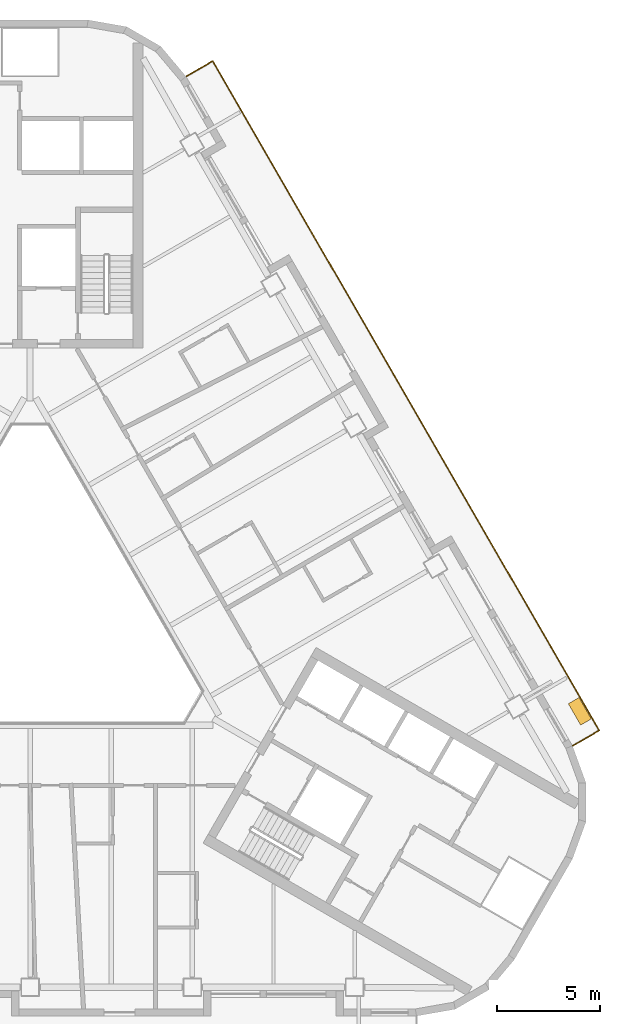
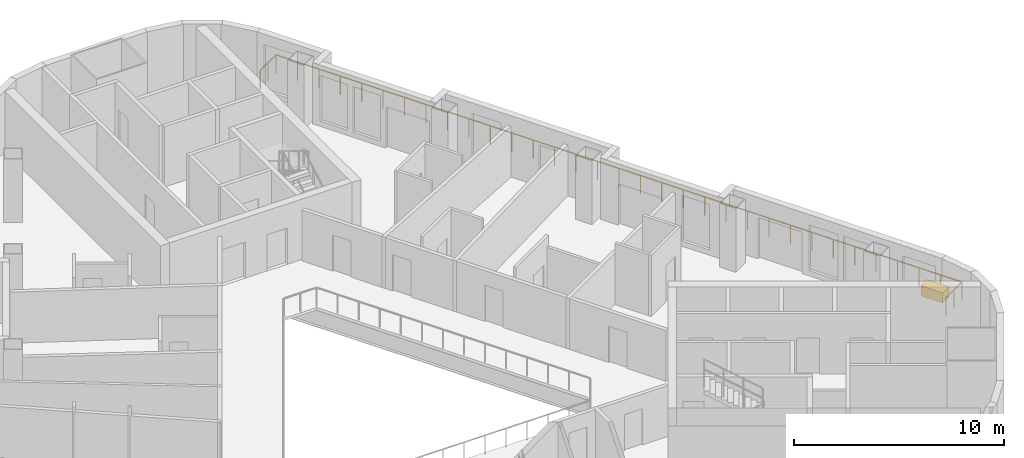
# One storey, part 13 of 14: 1 covering, 1 railing.
"""IFC4 building model written with IfcOpenShell, lengths in metres."""

from ifc_helpers import new_model, si_unit, direction, frame, origin, origin_2d, place, context, subcontext, project, spatial, rectangle, extrude, material, type_object, element, save


model = new_model("IFC4")

# Units and contexts
model_context = context("Model", 3, precision=1e-05, world=origin(), true_north=direction((0.0, 1.0)))
body_context = subcontext(model_context, "Body", "Model", "MODEL_VIEW")
ifc_project = project(units=[si_unit("LENGTHUNIT", "METRE"), si_unit("AREAUNIT", "SQUARE_METRE"), si_unit("VOLUMEUNIT", "CUBIC_METRE"), si_unit("PLANEANGLEUNIT", "RADIAN"), si_unit("MASSUNIT", "GRAM", prefix="KILO")], contexts=[model_context])

# Site, building, storey
site_placement = place(None, origin())
site = spatial("IfcSite", under=ifc_project, at=site_placement, CompositionType="ELEMENT")
building_placement = place(site_placement, origin())
building = spatial("IfcBuilding", under=site, at=building_placement, Name="Apuvela Tower Hotel", CompositionType="ELEMENT")
storey_placement = place(building_placement, frame((0.0, 0.0, 87.199951171875)))
storey = spatial("IfcBuildingStorey", under=building, at=storey_placement, Name="L19", CompositionType="ELEMENT", Elevation=87.199951171875)

# Railing
ifc_material_1 = material(Name="Stainless steel 316 rail with laminated glass infill", Category="steel")
railing_type = type_object("IfcRailingType", Name="ENV-GUARD-1100", PredefinedType="GUARDRAIL", material=ifc_material_1)
railing_placement = place(storey_placement, frame((26.407958984375, -6.47998046875, 0.0)))
element("IfcRailing", 1, at=railing_placement, inside=storey, type_object=railing_type, Name="Balcony guard NE L19", PredefinedType="GUARDRAIL", context=body_context, shape_type="SweptSolid", body=[
    extrude(rectangle(XDim=0.050048828125, YDim=0.050048828125, at=origin_2d()), frame((0.0, 0.0, 1.0751953125), z_axis=(0.866031096941, 0.499990139034, 0.0), x_axis=(-0.499990139034, 0.866031096941, 0.0)), (0.0, 0.0, 1.0), 1.5),
    extrude(rectangle(XDim=0.050048828125, YDim=0.050048828125, at=origin_2d()), frame((1.299072265625, 0.75, 1.0751953125), z_axis=(-0.500000437506, 0.86602515119, 0.0), x_axis=(-0.86602515119, -0.500000437506, 0.0)), (0.0, 0.0, 1.0), 37.6318359375),
    extrude(rectangle(XDim=0.050048828125, YDim=0.050048828125, at=origin_2d()), frame((-17.516845703125, 33.340087890625, 1.0751953125), z_axis=(-0.86599040064, -0.500060622324, 0.0), x_axis=(0.500060622324, -0.86599040064, 0.0)), (0.0, 0.0, 1.0), 1.499755859375),
    extrude(rectangle(XDim=0.0400390625, YDim=0.0400390625, at=origin_2d()), origin(), (0.0, 0.0, 1.0), 1.050048828125),
    extrude(rectangle(XDim=0.0400390625, YDim=0.0400390625, at=origin_2d()), frame((0.6494140625, 0.375, 0.0)), (0.0, 0.0, 1.0), 1.050048828125),
    extrude(rectangle(XDim=0.0400390625, YDim=0.0400390625, at=origin_2d()), frame((1.299072265625, 0.75, 0.0)), (0.0, 0.0, 1.0), 1.050048828125),
    extrude(rectangle(XDim=0.0400390625, YDim=0.0400390625, at=origin_2d()), frame((0.711181640625, 1.7685546875, 0.0)), (0.0, 0.0, 1.0), 1.050048828125),
    extrude(rectangle(XDim=0.0400390625, YDim=0.0400390625, at=origin_2d()), frame((0.123046875, 2.786865234375, 0.0)), (0.0, 0.0, 1.0), 1.050048828125),
    extrude(rectangle(XDim=0.0400390625, YDim=0.0400390625, at=origin_2d()), frame((-0.46484375, 3.805419921875, 0.0)), (0.0, 0.0, 1.0), 1.050048828125),
    extrude(rectangle(XDim=0.0400390625, YDim=0.0400390625, at=origin_2d()), frame((-1.052978515625, 4.82373046875, 0.0)), (0.0, 0.0, 1.0), 1.050048828125),
    extrude(rectangle(XDim=0.0400390625, YDim=0.0400390625, at=origin_2d()), frame((-1.640869140625, 5.84228515625, 0.0)), (0.0, 0.0, 1.0), 1.050048828125),
    extrude(rectangle(XDim=0.0400390625, YDim=0.0400390625, at=origin_2d()), frame((-2.22900390625, 6.860595703125, 0.0)), (0.0, 0.0, 1.0), 1.050048828125),
    extrude(rectangle(XDim=0.0400390625, YDim=0.0400390625, at=origin_2d()), frame((-2.81689453125, 7.879150390625, 0.0)), (0.0, 0.0, 1.0), 1.050048828125),
    extrude(rectangle(XDim=0.0400390625, YDim=0.0400390625, at=origin_2d()), frame((-3.40478515625, 8.8974609375, 0.0)), (0.0, 0.0, 1.0), 1.050048828125),
    extrude(rectangle(XDim=0.0400390625, YDim=0.0400390625, at=origin_2d()), frame((-3.992919921875, 9.916015625, 0.0)), (0.0, 0.0, 1.0), 1.050048828125),
    extrude(rectangle(XDim=0.0400390625, YDim=0.0400390625, at=origin_2d()), frame((-4.580810546875, 10.934326171875, 0.0)), (0.0, 0.0, 1.0), 1.050048828125),
    extrude(rectangle(XDim=0.0400390625, YDim=0.0400390625, at=origin_2d()), frame((-5.1689453125, 11.952880859375, 0.0)), (0.0, 0.0, 1.0), 1.050048828125),
    extrude(rectangle(XDim=0.0400390625, YDim=0.0400390625, at=origin_2d()), frame((-5.7568359375, 12.97119140625, 0.0)), (0.0, 0.0, 1.0), 1.050048828125),
    extrude(rectangle(XDim=0.0400390625, YDim=0.0400390625, at=origin_2d()), frame((-6.344970703125, 13.98974609375, 0.0)), (0.0, 0.0, 1.0), 1.050048828125),
    extrude(rectangle(XDim=0.0400390625, YDim=0.0400390625, at=origin_2d()), frame((-6.932861328125, 15.008056640625, 0.0)), (0.0, 0.0, 1.0), 1.050048828125),
    extrude(rectangle(XDim=0.0400390625, YDim=0.0400390625, at=origin_2d()), frame((-7.52099609375, 16.026611328125, 0.0)), (0.0, 0.0, 1.0), 1.050048828125),
    extrude(rectangle(XDim=0.0400390625, YDim=0.0400390625, at=origin_2d()), frame((-8.10888671875, 17.044921875, 0.0)), (0.0, 0.0, 1.0), 1.050048828125),
    extrude(rectangle(XDim=0.0400390625, YDim=0.0400390625, at=origin_2d()), frame((-8.69677734375, 18.0634765625, 0.0)), (0.0, 0.0, 1.0), 1.050048828125),
    extrude(rectangle(XDim=0.0400390625, YDim=0.0400390625, at=origin_2d()), frame((-9.284912109375, 19.08203125, 0.0)), (0.0, 0.0, 1.0), 1.050048828125),
    extrude(rectangle(XDim=0.0400390625, YDim=0.0400390625, at=origin_2d()), frame((-9.872802734375, 20.100341796875, 0.0)), (0.0, 0.0, 1.0), 1.050048828125),
    extrude(rectangle(XDim=0.0400390625, YDim=0.0400390625, at=origin_2d()), frame((-10.4609375, 21.118896484375, 0.0)), (0.0, 0.0, 1.0), 1.050048828125),
    extrude(rectangle(XDim=0.0400390625, YDim=0.0400390625, at=origin_2d()), frame((-11.048828125, 22.13720703125, 0.0)), (0.0, 0.0, 1.0), 1.050048828125),
    extrude(rectangle(XDim=0.0400390625, YDim=0.0400390625, at=origin_2d()), frame((-11.636962890625, 23.15576171875, 0.0)), (0.0, 0.0, 1.0), 1.050048828125),
    extrude(rectangle(XDim=0.0400390625, YDim=0.0400390625, at=origin_2d()), frame((-12.224853515625, 24.174072265625, 0.0)), (0.0, 0.0, 1.0), 1.050048828125),
    extrude(rectangle(XDim=0.0400390625, YDim=0.0400390625, at=origin_2d()), frame((-12.81298828125, 25.192626953125, 0.0)), (0.0, 0.0, 1.0), 1.050048828125),
    extrude(rectangle(XDim=0.0400390625, YDim=0.0400390625, at=origin_2d()), frame((-13.40087890625, 26.2109375, 0.0)), (0.0, 0.0, 1.0), 1.050048828125),
    extrude(rectangle(XDim=0.0400390625, YDim=0.0400390625, at=origin_2d()), frame((-13.98876953125, 27.2294921875, 0.0)), (0.0, 0.0, 1.0), 1.050048828125),
    extrude(rectangle(XDim=0.0400390625, YDim=0.0400390625, at=origin_2d()), frame((-14.576904296875, 28.247802734375, 0.0)), (0.0, 0.0, 1.0), 1.050048828125),
    extrude(rectangle(XDim=0.0400390625, YDim=0.0400390625, at=origin_2d()), frame((-15.164794921875, 29.266357421875, 0.0)), (0.0, 0.0, 1.0), 1.050048828125),
    extrude(rectangle(XDim=0.0400390625, YDim=0.0400390625, at=origin_2d()), frame((-15.7529296875, 30.28466796875, 0.0)), (0.0, 0.0, 1.0), 1.050048828125),
    extrude(rectangle(XDim=0.0400390625, YDim=0.0400390625, at=origin_2d()), frame((-16.3408203125, 31.30322265625, 0.0)), (0.0, 0.0, 1.0), 1.050048828125),
    extrude(rectangle(XDim=0.0400390625, YDim=0.0400390625, at=origin_2d()), frame((-16.928955078125, 32.321533203125, 0.0)), (0.0, 0.0, 1.0), 1.050048828125),
    extrude(rectangle(XDim=0.0400390625, YDim=0.0400390625, at=origin_2d()), frame((-17.516845703125, 33.340087890625, 0.0)), (0.0, 0.0, 1.0), 1.050048828125),
    extrude(rectangle(XDim=0.0400390625, YDim=0.0400390625, at=origin_2d()), frame((-18.166259765625, 32.965087890625, 0.0)), (0.0, 0.0, 1.0), 1.050048828125),
    extrude(rectangle(XDim=0.0400390625, YDim=0.0400390625, at=origin_2d()), frame((-18.815673828125, 32.590087890625, 0.0)), (0.0, 0.0, 1.0), 1.050048828125),
])

# Covering
ifc_material_2 = material(Name="Planting substrate and soil, planted")
covering_type = type_object("IfcCoveringType", Name="ENV-PLANTER-1200x600", PredefinedType="USERDEFINED", material=ifc_material_2)
covering_placement = place(storey_placement, frame((26.763916015625, -4.79638671875, 0.0), z_axis=(0.0, 0.0, 1.0), x_axis=(-0.5, 0.866025403784, 0.0)))
element("IfcCovering", 2, at=covering_placement, inside=storey, type_object=covering_type, Name="Planter NE2", ObjectType="PLANTER", PredefinedType="USERDEFINED", context=body_context, shape_type="SweptSolid", body=[
    extrude(rectangle(XDim=1.199951171875, YDim=0.60009765625, at=origin_2d()), origin(), (0.0, 0.0, 1.0), 0.60009765625),
])

save(model, "model.ifc")
